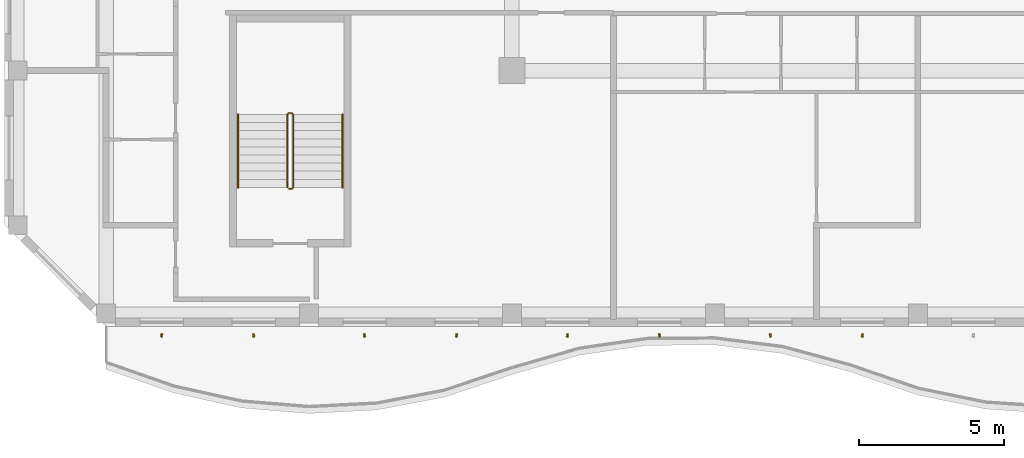
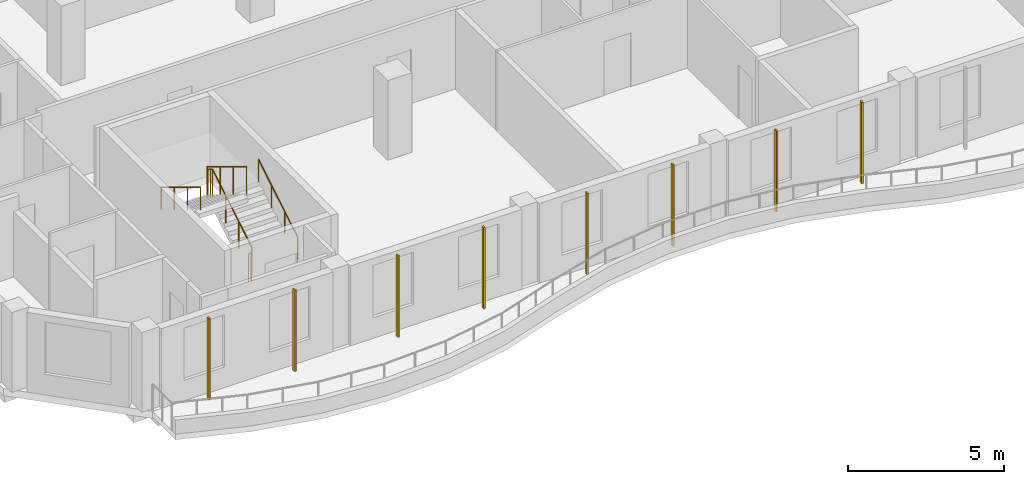
# One storey, part 12 of 18: 8 shading devices, 3 railings.
"""IFC4 building model written with IfcOpenShell, lengths in metres."""

import ifcopenshell
import ifcopenshell.guid

model = None  # the IFC model being written
_history = None  # IfcOwnerHistory: only IFC2X3 demands one
_inside = {}  # id of a spatial element -> (the spatial element, [elements in it])
_under = {}  # id of a project, library or spatial element -> (it, [spatial elements below it])
_declared = {}  # id of a project -> (the project, [libraries it declares])
_typed = {}  # id of a type object -> (the type object, [elements of that type])
_made_of = {}  # id of a material, layer set ... -> (it, [elements and type objects made of it])


def new_model(schema):
    """Start an empty IFC model of exactly this schema.

    Asked for "IFC4X3", IfcOpenShell would pick the latest addendum, in which some entities
    have other attributes; the version numbers below select the first issue.
    IFC2X3 requires an IfcOwnerHistory on every rooted entity: one is made here for all.
    """
    global model, _history
    if schema == "IFC4X3":
        model = ifcopenshell.file(schema_version=(4, 3, 0, 0))
    else:
        model = ifcopenshell.file(schema=schema)
    _inside.clear()
    _under.clear()
    _declared.clear()
    _typed.clear()
    _made_of.clear()
    _history = None
    if model.schema == "IFC2X3":
        org = make("IfcOrganization", Name="unknown")
        user = make(
            "IfcPersonAndOrganization",
            ThePerson=make("IfcPerson", FamilyName="unknown"),
            TheOrganization=org,
        )
        app = make(
            "IfcApplication",
            ApplicationDeveloper=org,
            Version="unknown",
            ApplicationFullName="unknown",
            ApplicationIdentifier="unknown",
        )
        _history = make(
            "IfcOwnerHistory",
            OwningUser=user,
            OwningApplication=app,
            ChangeAction="ADDED",
            CreationDate=0,
        )
    return model


def make(cls, **values):
    """One entity of the class cls with the attributes given. An attribute that is None is left unset."""
    return model.create_entity(
        cls, **{name: value for name, value in values.items() if value is not None}
    )


def rooted(cls, **values):
    """An entity with a GlobalId (a new one), such as an element, a storey or a relation."""
    return make(cls, GlobalId=ifcopenshell.guid.new(), OwnerHistory=_history, **values)


def si_unit(unit_type, name, prefix=None):
    """IfcSIUnit, for example si_unit("LENGTHUNIT", "METRE", prefix="MILLI")."""
    return make("IfcSIUnit", UnitType=unit_type, Prefix=prefix, Name=name)


def assignment(units):
    """IfcUnitAssignment: the units of a project."""
    return None if units is None else make("IfcUnitAssignment", Units=units)


def point(xyz):
    """IfcCartesianPoint."""
    return None if xyz is None else make("IfcCartesianPoint", Coordinates=xyz)


def direction(xyz):
    """IfcDirection."""
    return None if xyz is None else make("IfcDirection", DirectionRatios=xyz)


def frame(location, z_axis=None, x_axis=None):
    """IfcAxis2Placement3D, a coordinate frame: its origin and axes. An axis left out is left unset."""
    return make(
        "IfcAxis2Placement3D",
        Location=point(location),
        Axis=direction(z_axis),
        RefDirection=direction(x_axis),
    )


def frame_2d(location, x_axis=None):
    """IfcAxis2Placement2D, a coordinate frame in the plane: its origin and x axis."""
    return make(
        "IfcAxis2Placement2D", Location=point(location), RefDirection=direction(x_axis)
    )


def origin():
    """The frame at (0, 0, 0) with its axes left unset."""
    return frame((0.0, 0.0, 0.0))


def origin_2d():
    """The frame at (0, 0) in the plane with its x axis left unset."""
    return frame_2d((0.0, 0.0))


def place(relative_to, where):
    """IfcLocalPlacement: puts the frame where relative to a parent placement (None: the world)."""
    return make(
        "IfcLocalPlacement", PlacementRelTo=relative_to, RelativePlacement=where
    )


def context(
    kind, dimensions, precision=None, world=None, true_north=None, identifier=None
):
    """IfcGeometricRepresentationContext, for example the 3D "Model" context."""
    return make(
        "IfcGeometricRepresentationContext",
        ContextIdentifier=identifier,
        ContextType=kind,
        CoordinateSpaceDimension=dimensions,
        Precision=precision,
        WorldCoordinateSystem=world,
        TrueNorth=true_north,
    )


def subcontext(parent, identifier, kind, view, scale=None):
    """IfcGeometricRepresentationSubContext, for example "Body" below "Model"."""
    return make(
        "IfcGeometricRepresentationSubContext",
        ContextIdentifier=identifier,
        ContextType=kind,
        ParentContext=parent,
        TargetScale=scale,
        TargetView=view,
    )


def project(units=None, contexts=None):
    """IfcProject with its units and contexts."""
    return rooted(
        "IfcProject",
        Name="project",
        RepresentationContexts=contexts,
        UnitsInContext=assignment(units),
    )


def spatial(cls, under=None, at=None, **own):
    """A site, building, storey or space (cls), placed at a placement, below another one or the project."""
    s = rooted(cls, ObjectPlacement=at, **own)
    if under is not None:
        _under.setdefault(under.id(), (under, []))[1].append(s)
    return s


def profile(cls, at=None, kind="AREA", **sizes):
    """A parametric profile (cls). Its sizes go by their IFC names, for example OverallWidth=200.0."""
    return make(cls, ProfileType=kind, Position=at, **sizes)


def rectangle(**sizes):
    """IfcRectangleProfileDef."""
    return profile("IfcRectangleProfileDef", **sizes)


def circle(**sizes):
    """IfcCircleProfileDef."""
    return profile("IfcCircleProfileDef", **sizes)


def extrude(swept, where, along, depth):
    """IfcExtrudedAreaSolid: the profile swept, set in the frame where, extruded along a direction by depth."""
    return make(
        "IfcExtrudedAreaSolid",
        SweptArea=swept,
        Position=where,
        ExtrudedDirection=direction(along),
        Depth=depth,
    )


def shape(context_of_items, identifier, shape_type, items):
    """IfcShapeRepresentation: the items that make up one representation, for example the "Body"."""
    return make(
        "IfcShapeRepresentation",
        ContextOfItems=context_of_items,
        RepresentationIdentifier=identifier,
        RepresentationType=shape_type,
        Items=items,
    )


def source(mapping_origin, context_of_items, identifier, shape_type, items):
    """IfcRepresentationMap: a shape defined once, which mapped items show again and again."""
    return make(
        "IfcRepresentationMap",
        MappingOrigin=mapping_origin,
        MappedRepresentation=shape(context_of_items, identifier, shape_type, items),
    )


def transform(
    local_origin,
    x_axis=None,
    y_axis=None,
    z_axis=None,
    scale=None,
    scale2=None,
    scale3=None,
    uniform=True,
):
    """IfcCartesianTransformationOperator3D, or its non-uniform kind. x_axis, y_axis, z_axis: its Axis1, 2, 3."""
    if uniform:
        return make(
            "IfcCartesianTransformationOperator3D",
            Axis1=direction(x_axis),
            Axis2=direction(y_axis),
            LocalOrigin=point(local_origin),
            Scale=scale,
            Axis3=direction(z_axis),
        )
    return make(
        "IfcCartesianTransformationOperator3DnonUniform",
        Axis1=direction(x_axis),
        Axis2=direction(y_axis),
        LocalOrigin=point(local_origin),
        Scale=scale,
        Axis3=direction(z_axis),
        Scale2=scale2,
        Scale3=scale3,
    )


def mapped(mapping_source, mapping_target):
    """IfcMappedItem: shows the shape of a source again, moved by a transform."""
    return make(
        "IfcMappedItem", MappingSource=mapping_source, MappingTarget=mapping_target
    )


def material(Name=None, Category=None):
    """IfcMaterial."""
    return make("IfcMaterial", Name=Name, Category=Category)


def material_profile(
    of_material, cross_section, Name=None, Category=None, Priority=None
):
    """IfcMaterialProfile: a cross section and its material."""
    return make(
        "IfcMaterialProfile",
        Name=Name,
        Material=of_material,
        Profile=cross_section,
        Priority=Priority,
        Category=Category,
    )


def profile_set(profiles, Name=None, composite=None):
    """IfcMaterialProfileSet."""
    return make(
        "IfcMaterialProfileSet",
        Name=Name,
        MaterialProfiles=profiles,
        CompositeProfile=composite,
    )


def made_of(thing, what):
    """Note that an element or type object is made of a material, layer set ...; save() writes the relation."""
    if what is not None:
        _made_of.setdefault(what.id(), (what, []))[1].append(thing)
    return thing


def type_object(cls, material=None, **own):
    """A type object (cls), such as IfcWallType, which elements share."""
    return made_of(rooted(cls, **own), material)


def element(
    cls,
    number,
    at=None,
    inside=None,
    cuts=None,
    type_object=None,
    material=None,
    context=None,
    identifier="Body",
    shape_type=None,
    held_by="IfcProductDefinitionShape",
    body=None,
    shapes=None,
    **own,
):
    """One element of the class cls, such as IfcWall. Its Tag is "e" and its number.

    at: its placement. inside: the storey or other place that contains it. cuts: it is an
    opening in that element (IfcRelVoidsElement). A single representation is given by context,
    identifier, shape_type and body (its items); several are given by shapes. held_by: the class
    of the entity that holds the representations. save() writes the other relations.
    """
    e = rooted(cls, Tag="e%d" % number, ObjectPlacement=at, **own)
    if body is not None:
        shapes = [shape(context, identifier, shape_type, body)]
    if shapes is not None:
        e.Representation = make(held_by, Representations=shapes)
    if inside is not None:
        _inside.setdefault(inside.id(), (inside, []))[1].append(e)
    if cuts is not None:
        rooted(
            "IfcRelVoidsElement", RelatingBuildingElement=cuts, RelatedOpeningElement=e
        )
    if type_object is not None:
        _typed.setdefault(type_object.id(), (type_object, []))[1].append(e)
    return made_of(e, material)


def aggregate(whole, parts):
    """IfcRelAggregates: a whole, such as a stair, and the parts it consists of."""
    return rooted("IfcRelAggregates", RelatingObject=whole, RelatedObjects=parts)


def save(model, path):
    """Write the relations noted so far, then the file.

    IfcRelAggregates (storeys below a building ...), IfcRelContainedInSpatialStructure (elements
    in a storey), IfcRelDefinesByType, IfcRelAssociatesMaterial and IfcRelDeclares: one each for
    every whole, place, type object, material and project.
    """
    for whole, parts in _under.values():
        aggregate(whole, parts)
    for where, things in _inside.values():
        rooted(
            "IfcRelContainedInSpatialStructure",
            RelatedElements=things,
            RelatingStructure=where,
        )
    for kind, things in _typed.values():
        rooted("IfcRelDefinesByType", RelatedObjects=things, RelatingType=kind)
    for what, things in _made_of.values():
        rooted("IfcRelAssociatesMaterial", RelatedObjects=things, RelatingMaterial=what)
    for by, libraries in _declared.values():
        rooted("IfcRelDeclares", RelatingContext=by, RelatedDefinitions=libraries)
    model.write(path)


model = new_model("IFC4")

# Units and contexts
model_context = context("Model", 3, precision=1e-05, world=origin(), true_north=direction((0.0, 1.0)))
body_context = subcontext(model_context, "Body", "Model", "MODEL_VIEW")
ifc_project = project(units=[si_unit("LENGTHUNIT", "METRE"), si_unit("AREAUNIT", "SQUARE_METRE"), si_unit("VOLUMEUNIT", "CUBIC_METRE"), si_unit("PLANEANGLEUNIT", "RADIAN"), si_unit("MASSUNIT", "GRAM", prefix="KILO")], contexts=[model_context])

# Site, building, storey
site_placement = place(None, origin())
site = spatial("IfcSite", under=ifc_project, at=site_placement, CompositionType="ELEMENT")
building_placement = place(site_placement, origin())
building = spatial("IfcBuilding", under=site, at=building_placement, Name="Kilnfold Tower and Market Hall", CompositionType="ELEMENT")
storey_placement = place(building_placement, frame((0.0, 0.0, 270.39990234375)))
storey = spatial("IfcBuildingStorey", under=building, at=storey_placement, Name="L66", CompositionType="ELEMENT", Elevation=270.39990234375)

# Railings
ifc_material_1 = material(Name="Stainless steel 316", Category="steel")
railing_type_1 = type_object("IfcRailingType", Name="CORE STAIR GUARD 1100", PredefinedType="GUARDRAIL", material=ifc_material_1)
railing_1_placement = place(storey_placement, frame((-15.699951171875, -13.75, 0.0)))
element("IfcRailing", 1, at=railing_1_placement, inside=storey, type_object=railing_type_1, Name="L66 ST3 stair guard 1", PredefinedType="GUARDRAIL", context=body_context, shape_type="SweptSolid", body=[
    extrude(circle(Radius=0.02392578125, at=origin_2d()), frame((0.0, 0.0, 1.076171875), z_axis=(1.0, 0.0, 0.0), x_axis=(0.0, 1.0, 0.0)), (0.0, 0.0, 1.0), 0.099853515625),
    extrude(circle(Radius=0.02392578125, at=origin_2d()), frame((0.099853515625, 0.0, 1.076171875), z_axis=(0.271562723297, 0.271562723297, 0.923313259209), x_axis=(-0.707106781187, 0.707106781187, 0.0)), (0.0, 0.0, 1.0), 0.184326171875),
    extrude(circle(Radius=0.02392578125, at=origin_2d()), frame((0.14990234375, 0.050048828125, 1.24609375), z_axis=(0.0, 0.85478489116, 0.518982456201), x_axis=(-1.0, 0.0, 0.0)), (0.0, 0.0, 1.0), 2.9482421875),
    extrude(circle(Radius=0.02392578125, at=origin_2d()), frame((0.14990234375, 2.570068359375, 2.7763671875), z_axis=(-0.707106781187, 0.707106781187, 0.0), x_axis=(-0.707106781187, -0.707106781187, 0.0)), (0.0, 0.0, 1.0), 0.07080078125),
    extrude(circle(Radius=0.02392578125, at=origin_2d()), frame((0.099853515625, 2.6201171875, 2.7763671875), z_axis=(-1.0, 0.0, 0.0), x_axis=(0.0, -1.0, 0.0)), (0.0, 0.0, 1.0), 0.099853515625),
    extrude(circle(Radius=0.02392578125, at=origin_2d()), frame((0.0, 2.6201171875, 2.7763671875), z_axis=(-0.271895245746, -0.271895245746, 0.923117517265), x_axis=(0.707106781187, -0.707106781187, 0.0)), (0.0, 0.0, 1.0), 0.18408203125),
    extrude(circle(Radius=0.02392578125, at=origin_2d()), frame((-0.050048828125, 2.570068359375, 2.9462890625), z_axis=(0.0, -0.85478489116, 0.518982456201), x_axis=(1.0, 0.0, 0.0)), (0.0, 0.0, 1.0), 2.9482421875),
    extrude(circle(Radius=0.02099609375, at=origin_2d()), origin(), (0.0, 0.0, 1.0), 1.052001953125),
    extrude(circle(Radius=0.02099609375, at=origin_2d()), frame((0.099853515625, 0.0, 0.0)), (0.0, 0.0, 1.0), 1.052001953125),
    extrude(circle(Radius=0.02099609375, at=origin_2d()), frame((0.14990234375, 0.050048828125, 0.170166015625)), (0.0, 0.0, 1.0), 1.052001953125),
    extrude(circle(Radius=0.02099609375, at=origin_2d()), frame((0.14990234375, 0.89013671875, 0.68017578125)), (0.0, 0.0, 1.0), 1.052001953125),
    extrude(circle(Radius=0.02099609375, at=origin_2d()), frame((0.14990234375, 1.72998046875, 1.190185546875)), (0.0, 0.0, 1.0), 1.052001953125),
    extrude(circle(Radius=0.02099609375, at=origin_2d()), frame((0.14990234375, 2.570068359375, 1.7001953125)), (0.0, 0.0, 1.0), 1.052001953125),
    extrude(circle(Radius=0.02099609375, at=origin_2d()), frame((0.099853515625, 2.6201171875, 1.7001953125)), (0.0, 0.0, 1.0), 1.052001953125),
    extrude(circle(Radius=0.02099609375, at=origin_2d()), frame((0.0, 2.6201171875, 1.7001953125)), (0.0, 0.0, 1.0), 1.052001953125),
    extrude(circle(Radius=0.02099609375, at=origin_2d()), frame((-0.050048828125, 2.570068359375, 1.8701171875)), (0.0, 0.0, 1.0), 1.052001953125),
    extrude(circle(Radius=0.02099609375, at=origin_2d()), frame((-0.050048828125, 1.72998046875, 2.380126953125)), (0.0, 0.0, 1.0), 1.052001953125),
    extrude(circle(Radius=0.02099609375, at=origin_2d()), frame((-0.050048828125, 0.89013671875, 2.89013671875)), (0.0, 0.0, 1.0), 1.052001953125),
    extrude(circle(Radius=0.02099609375, at=origin_2d()), frame((-0.050048828125, 0.050048828125, 3.400146484375)), (0.0, 0.0, 1.0), 1.052001953125),
])
ifc_material_2 = material(Name="Stainless steel 316", Category="steel")
railing_type_2 = type_object("IfcRailingType", Name="CORE STAIR HANDRAIL 900", PredefinedType="HANDRAIL", material=ifc_material_2)
railing_2_placement = place(storey_placement, frame((-13.85009765625, -13.699951171875, 0.170166015625)))
element("IfcRailing", 2, at=railing_2_placement, inside=storey, type_object=railing_type_2, Name="L66 ST3 stair handrail 1", PredefinedType="HANDRAIL", context=body_context, shape_type="SweptSolid", body=[
    extrude(circle(Radius=0.02392578125, at=origin_2d()), frame((0.0, 0.0, 0.8759765625), z_axis=(0.0, 0.85478489116, 0.518982456201), x_axis=(-1.0, 0.0, 0.0)), (0.0, 0.0, 1.0), 2.9482421875),
    extrude(circle(Radius=0.02099609375, at=origin_2d()), origin(), (0.0, 0.0, 1.0), 0.851806640625),
    extrude(circle(Radius=0.02099609375, at=origin_2d()), frame((0.0, 0.840087890625, 0.510009765625)), (0.0, 0.0, 1.0), 0.851806640625),
    extrude(circle(Radius=0.02099609375, at=origin_2d()), frame((0.0, 1.679931640625, 1.02001953125)), (0.0, 0.0, 1.0), 0.851806640625),
    extrude(circle(Radius=0.02099609375, at=origin_2d()), frame((0.0, 2.52001953125, 1.530029296875)), (0.0, 0.0, 1.0), 0.851806640625),
])
railing_3_placement = place(storey_placement, frame((-17.449951171875, -11.179931640625, 1.8701171875)))
element("IfcRailing", 3, at=railing_3_placement, inside=storey, type_object=railing_type_2, Name="L66 ST3 stair handrail 2", PredefinedType="HANDRAIL", context=body_context, shape_type="SweptSolid", body=[
    extrude(circle(Radius=0.02392578125, at=origin_2d()), frame((0.0, 0.0, 0.8759765625), z_axis=(0.0, -0.85478489116, 0.518982456201), x_axis=(1.0, 0.0, 0.0)), (0.0, 0.0, 1.0), 2.9482421875),
    extrude(circle(Radius=0.02099609375, at=origin_2d()), origin(), (0.0, 0.0, 1.0), 0.851806640625),
    extrude(circle(Radius=0.02099609375, at=origin_2d()), frame((0.0, -0.840087890625, 0.510009765625)), (0.0, 0.0, 1.0), 0.851806640625),
    extrude(circle(Radius=0.02099609375, at=origin_2d()), frame((0.0, -1.679931640625, 1.02001953125)), (0.0, 0.0, 1.0), 0.851806640625),
    extrude(circle(Radius=0.02099609375, at=origin_2d()), frame((0.0, -2.52001953125, 1.530029296875)), (0.0, 0.0, 1.0), 0.851806640625),
])

# Shading devices
ifc_material_3 = material(Name="Terracotta", Category="masonry")
ifc_material_profile = material_profile(ifc_material_3, rectangle(XDim=0.06005859375, YDim=0.1201171875, at=origin_2d()), Name="BAG 60x120")
ifc_profile_set = profile_set([ifc_material_profile], Name="Terracotta")
shading_device_type = type_object("IfcShadingDeviceType", Name="BAGUETTE", PredefinedType="USERDEFINED", material=ifc_profile_set)
shared_shape = source(origin(), body_context, "Body", "SweptSolid", [
    extrude(rectangle(XDim=0.06005859375, YDim=0.1201171875, at=origin_2d()), origin(), (0.0, 0.0, 1.0), 3.18017578125),
])
for number, where, z_axis, x_axis, name in (
    (4, (-20.08740234375, -18.800048828125, 0.0), (0.0, 0.0, 1.0), (0.996669344819, -0.081548863252, 0.0), "Terracotta baguette L66 S"),
    (5, (-16.91259765625, -18.800048828125, 0.0), (0.0, 0.0, 1.0), (0.994983719701, 0.100036980811, 0.0), "Terracotta baguette L66 S"),
    (6, (-13.08740234375, -18.800048828125, 0.0), (0.0, 0.0, 1.0), (0.996669344819, 0.081548863252, 0.0), "Terracotta baguette L66 S"),
    (7, (-9.91259765625, -18.800048828125, 0.0), (0.0, 0.0, 1.0), (0.994983719701, -0.100036980811, 0.0), "Terracotta baguette L66 S"),
    (8, (-6.08740234375, -18.800048828125, 0.0), (0.0, 0.0, 1.0), (0.996669344819, -0.081548863252, 0.0), "Terracotta baguette L66 S"),
    (9, (-2.91259765625, -18.800048828125, 0.0), (0.0, 0.0, 1.0), (0.994983719701, 0.100036980811, 0.0), "Terracotta baguette L66 S"),
    (10, (0.91259765625, -18.800048828125, 0.0), (0.0, 0.0, 1.0), (0.996669344819, 0.081548863252, 0.0), "Terracotta baguette L66 S"),
    (11, (4.08740234375, -18.800048828125, 0.0), (0.0, 0.0, 1.0), (0.994983719701, -0.100036980811, 0.0), "Terracotta baguette L66 S"),
):
    element("IfcShadingDevice", number, at=place(storey_placement, frame(where, z_axis=z_axis, x_axis=x_axis)), inside=storey, type_object=shading_device_type, Name=name, ObjectType="BAGUETTE", PredefinedType="USERDEFINED", context=body_context, shape_type="MappedRepresentation", body=[
        mapped(shared_shape, transform((0.0, 0.0, 0.0))),
    ])

save(model, "model.ifc")
